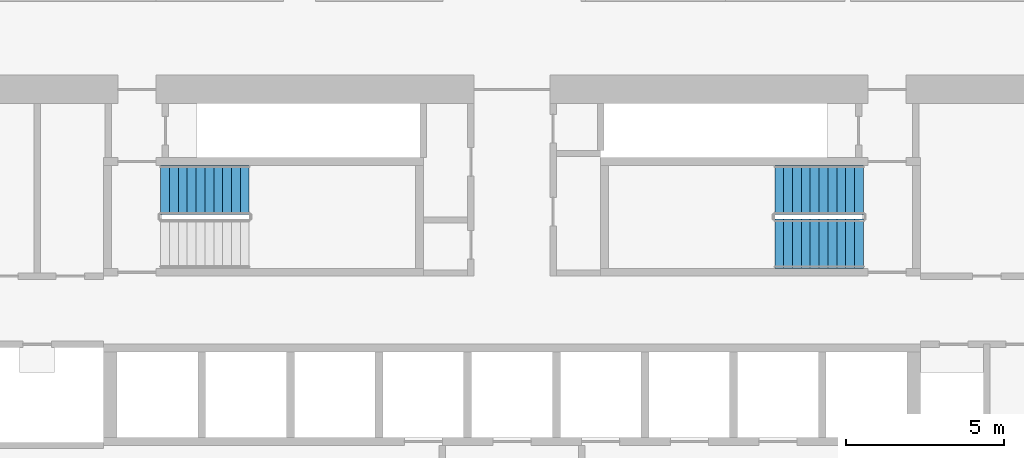
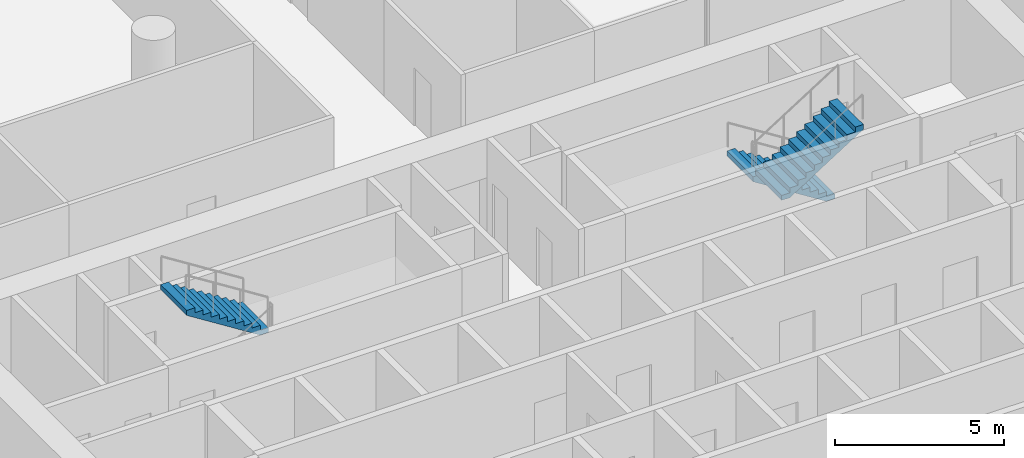
# One storey, part 9 of 14: 3 stair flights, 2 elements without a shape of their own.
"""IFC4 building model written with IfcOpenShell, lengths in metres."""

from ifc_helpers import new_model, si_unit, direction, frame, origin, place, context, subcontext, project, spatial, polyline, outline, extrude, material, type_object, element, aggregate, save


model = new_model("IFC4")

# Units and contexts
model_context = context("Model", 3, precision=1e-05, world=origin(), true_north=direction((0.0, 1.0)))
body_context = subcontext(model_context, "Body", "Model", "MODEL_VIEW")
ifc_project = project(units=[si_unit("LENGTHUNIT", "METRE"), si_unit("AREAUNIT", "SQUARE_METRE"), si_unit("VOLUMEUNIT", "CUBIC_METRE"), si_unit("PLANEANGLEUNIT", "RADIAN"), si_unit("MASSUNIT", "GRAM", prefix="KILO")], contexts=[model_context])

# Site, building, storey
site_placement = place(None, origin())
site = spatial("IfcSite", under=ifc_project, at=site_placement, CompositionType="ELEMENT")
building_placement = place(site_placement, origin())
building = spatial("IfcBuilding", under=site, at=building_placement, Name="Dhurran Vertical Campus", CompositionType="ELEMENT")
storey_placement = place(building_placement, frame((0.0, 0.0, 96.89990234375)))
storey = spatial("IfcBuildingStorey", under=building, at=storey_placement, Name="L23", CompositionType="ELEMENT", Elevation=96.89990234375)

# Stair, stair flight
ifc_material_1 = material(Name="Concrete C40/50", Category="concrete")
stair_type = type_object("IfcStairType", Name="co-ST-CORE", PredefinedType="HALF_TURN_STAIR", material=ifc_material_1)
stair_1_placement = place(storey_placement, origin())
stair_1 = element("IfcStair", 1, at=stair_1_placement, inside=storey, type_object=stair_type, Name="L23 Protected exit stair ST1", PredefinedType="HALF_TURN_STAIR")
ifc_material_2 = material(Name="Concrete C40/50", Category="concrete")
stair_flight_type = type_object("IfcStairFlightType", Name="co-SFL-RC", PredefinedType="STRAIGHT", material=ifc_material_2)
stair_flight_1_placement = place(storey_placement, frame((-8.300048828125, 9.875, 1.9501953125), z_axis=(0.0, 0.0, 1.0), x_axis=(-1.0, 0.0, 0.0)))
stair_flight_1 = element("IfcStairFlight", 2, at=stair_flight_1_placement, type_object=stair_flight_type, Name="ST1 flight 2", NumberOfRisers=11, NumberOfTreads=10, PredefinedType="STRAIGHT", RiserHeight=0.177272727, TreadLength=0.28, context=body_context, shape_type="SweptSolid", body=[
    extrude(outline(polyline([(0.0, 0.0), (0.0, 0.17724609375), (0.280029296875, 0.17724609375), (0.280029296875, 0.3544921875), (0.56005859375, 0.3544921875), (0.56005859375, 0.53173828125), (0.840087890625, 0.53173828125), (0.840087890625, 0.708984375), (1.1201171875, 0.708984375), (1.1201171875, 0.886474609375), (1.39990234375, 0.886474609375), (1.39990234375, 1.063720703125), (1.679931640625, 1.063720703125), (1.679931640625, 1.240966796875), (1.9599609375, 1.240966796875), (1.9599609375, 1.418212890625), (2.239990234375, 1.418212890625), (2.239990234375, 1.595458984375), (2.52001953125, 1.595458984375), (2.52001953125, 1.772705078125), (2.800048828125, 1.772705078125), (2.800048828125, 1.949951171875), (2.800048828125, 1.59521484375), (0.2802734375, 0.0), (0.0, 0.0)])), frame((0.0, 0.77490234375, 0.0), z_axis=(0.0, -1.0, 0.0), x_axis=(1.0, 0.0, 0.0)), (0.0, 0.0, 1.0), 1.550048828125),
])
aggregate(stair_1, [stair_flight_1])

# Stair, stair flights
stair_2_placement = place(storey_placement, origin())
stair_2 = element("IfcStair", 3, at=stair_2_placement, inside=storey, type_object=stair_type, Name="L23 Protected exit stair ST2", PredefinedType="HALF_TURN_STAIR")
stair_flight_2_placement = place(storey_placement, frame((11.10009765625, 9.875, 0.0), z_axis=(0.0, 0.0, 1.0), x_axis=(-1.0, 0.0, 0.0)))
stair_flight_2 = element("IfcStairFlight", 4, at=stair_flight_2_placement, type_object=stair_flight_type, Name="ST2 flight 1", NumberOfRisers=11, NumberOfTreads=10, PredefinedType="STRAIGHT", RiserHeight=0.177272727, TreadLength=0.28, context=body_context, shape_type="SweptSolid", body=[
    extrude(outline(polyline([(0.0, 0.0), (0.0, 0.17724609375), (0.280029296875, 0.17724609375), (0.280029296875, 0.3544921875), (0.56005859375, 0.3544921875), (0.56005859375, 0.53173828125), (0.840087890625, 0.53173828125), (0.840087890625, 0.708984375), (1.1201171875, 0.708984375), (1.1201171875, 0.886474609375), (1.39990234375, 0.886474609375), (1.39990234375, 1.063720703125), (1.679931640625, 1.063720703125), (1.679931640625, 1.240966796875), (1.9599609375, 1.240966796875), (1.9599609375, 1.418212890625), (2.239990234375, 1.418212890625), (2.239990234375, 1.595458984375), (2.52001953125, 1.595458984375), (2.52001953125, 1.772705078125), (2.800048828125, 1.772705078125), (2.800048828125, 1.949951171875), (2.800048828125, 1.59521484375), (0.2802734375, 0.0), (0.0, 0.0)])), frame((0.0, 0.77490234375, 0.0), z_axis=(0.0, -1.0, 0.0), x_axis=(1.0, 0.0, 0.0)), (0.0, 0.0, 1.0), 1.550048828125),
])
stair_flight_3_placement = place(storey_placement, frame((8.300048828125, 8.175048828125, 1.9501953125), z_axis=(0.0, 0.0, 1.0), x_axis=(1.0, 0.0, 0.0)))
stair_flight_3 = element("IfcStairFlight", 5, at=stair_flight_3_placement, type_object=stair_flight_type, Name="ST2 flight 2", NumberOfRisers=11, NumberOfTreads=10, PredefinedType="STRAIGHT", RiserHeight=0.177272727, TreadLength=0.28, context=body_context, shape_type="SweptSolid", body=[
    extrude(outline(polyline([(0.0, 0.0), (0.0, 0.17724609375), (0.280029296875, 0.17724609375), (0.280029296875, 0.3544921875), (0.56005859375, 0.3544921875), (0.56005859375, 0.53173828125), (0.840087890625, 0.53173828125), (0.840087890625, 0.708984375), (1.1201171875, 0.708984375), (1.1201171875, 0.886474609375), (1.39990234375, 0.886474609375), (1.39990234375, 1.063720703125), (1.679931640625, 1.063720703125), (1.679931640625, 1.240966796875), (1.9599609375, 1.240966796875), (1.9599609375, 1.418212890625), (2.239990234375, 1.418212890625), (2.239990234375, 1.595458984375), (2.52001953125, 1.595458984375), (2.52001953125, 1.772705078125), (2.800048828125, 1.772705078125), (2.800048828125, 1.949951171875), (2.800048828125, 1.59521484375), (0.2802734375, 0.0), (0.0, 0.0)])), frame((0.0, 0.77490234375, 0.0), z_axis=(0.0, -1.0, 0.0), x_axis=(1.0, 0.0, 0.0)), (0.0, 0.0, 1.0), 1.550048828125),
])
aggregate(stair_2, [stair_flight_2, stair_flight_3])

save(model, "model.ifc")
